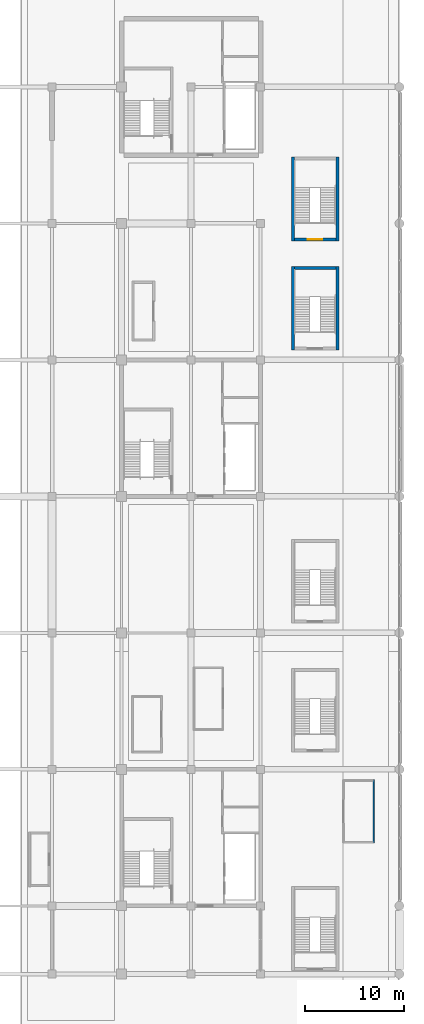
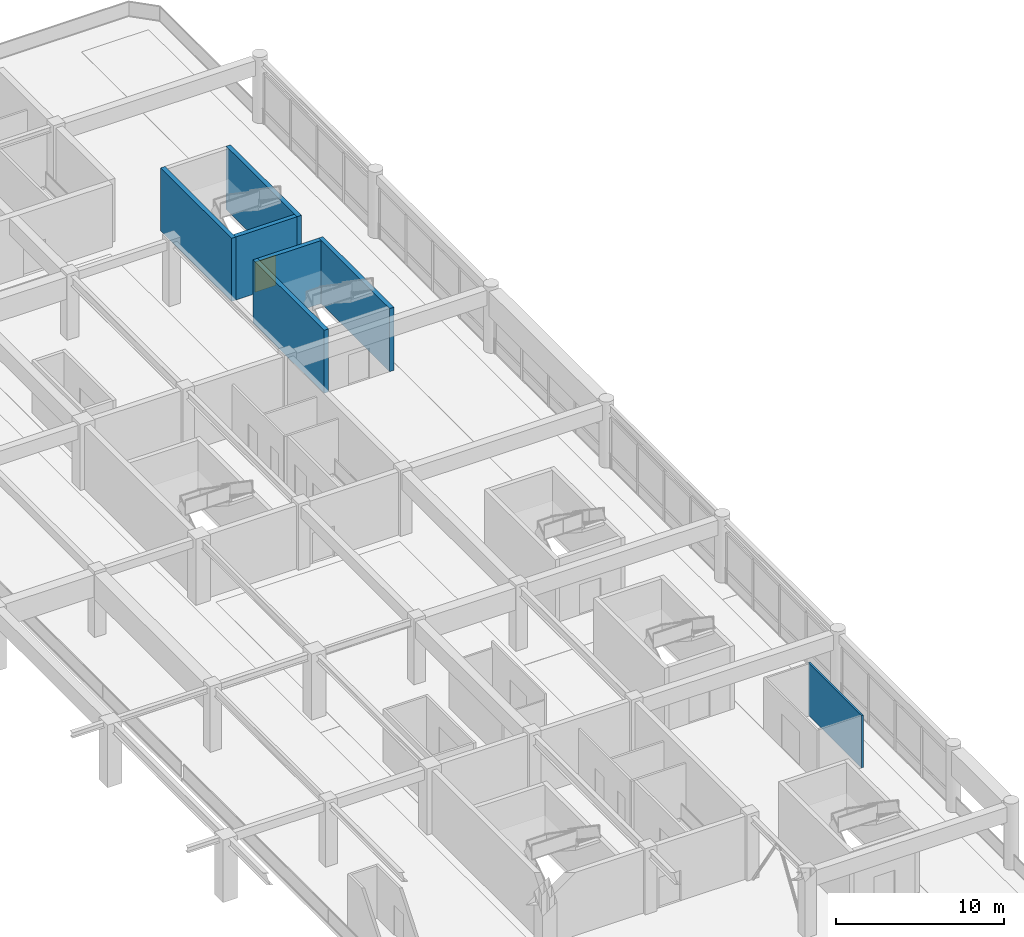
# One storey, part 70 of 91: 7 walls, 1 door, 1 opening.
"""IFC4 building model written with IfcOpenShell, lengths in metres."""

from ifc_helpers import new_model, si_unit, direction, frame, frame_2d, origin, place, context, subcontext, project, spatial, rectangle, extrude, material, layer, layer_set, type_object, element, fill, save


model = new_model("IFC4")

# Units and contexts
model_context = context("Model", 3, precision=1e-05, world=origin(), true_north=direction((0.0, 1.0)))
body_context = subcontext(model_context, "Body", "Model", "MODEL_VIEW")
ifc_project = project(units=[si_unit("LENGTHUNIT", "METRE"), si_unit("AREAUNIT", "SQUARE_METRE"), si_unit("VOLUMEUNIT", "CUBIC_METRE"), si_unit("PLANEANGLEUNIT", "RADIAN"), si_unit("MASSUNIT", "GRAM", prefix="KILO")], contexts=[model_context])

# Site, building, storey
site_placement = place(None, origin())
site = spatial("IfcSite", under=ifc_project, at=site_placement, CompositionType="ELEMENT")
building_placement = place(site_placement, origin())
building = spatial("IfcBuilding", under=site, at=building_placement, Name="Linyun Crest Stadium", CompositionType="ELEMENT")
storey_placement = place(building_placement, frame((0.0, 0.0, 11.39990234375)))
storey = spatial("IfcBuildingStorey", under=building, at=storey_placement, Name="L03", CompositionType="ELEMENT", Elevation=11.39990234375)

# Walls
ifc_material_1 = material(Name="Steel-stud hospitality suite partition", Category="steel")
ifc_layer_1 = layer(ifc_material_1, 0.125)
ifc_layer_set_1 = layer_set([ifc_layer_1], Name="Steel-stud hospitality suite partition")
wall_type_1 = type_object("IfcWallType", Name="PW17", PredefinedType="PARTITIONING", material=ifc_layer_set_1)
wall_1_placement = place(storey_placement, frame((95.4140625, -32.784912109375, 0.0), z_axis=(0.0, 0.0, 1.0), x_axis=(0.0, 1.0, 0.0)))
element("IfcWall", 1, at=wall_1_placement, inside=storey, type_object=wall_type_1, Name="Enclosure partition PW17 L03 343", PredefinedType="PARTITIONING", context=body_context, shape_type="SweptSolid", body=[
    extrude(rectangle(XDim=6.33984375, YDim=0.125, at=frame_2d((3.169921875, 0.0))), origin(), (0.0, 0.0, 1.0), 3.820068359375),
])
ifc_material_2 = material(Name="Concrete C50", Category="concrete")
ifc_layer_2 = layer(ifc_material_2, 0.300048828125)
ifc_layer_set_2 = layer_set([ifc_layer_2], Name="Concrete C50")
wall_type_2 = type_object("IfcWallType", Name="SW01", PredefinedType="SHEAR", material=ifc_layer_set_2)
wall_2_placement = place(storey_placement, frame((87.39990234375, 25.14990234375, 0.0), z_axis=(0.0, 0.0, 1.0), x_axis=(1.0, 0.0, 0.0)))
element("IfcWall", 2, at=wall_2_placement, inside=storey, type_object=wall_type_2, Name="Stair shaft wall SW01 STR-21 L03 N", PredefinedType="SHEAR", context=body_context, shape_type="SweptSolid", body=[
    extrude(rectangle(XDim=4.2001953125, YDim=0.300048828125, at=frame_2d((2.10009765625, 0.0))), origin(), (0.0, 0.0, 1.0), 4.580078125),
])
for number, where, z_axis, x_axis, name in (
    (3, (87.25, 16.85009765625, 0.0), (0.0, 0.0, 1.0), (0.0, 1.0, 0.0), "Stair shaft wall SW01 STR-21 L03 W"),
    (4, (91.75, 16.85009765625, 0.0), (0.0, 0.0, 1.0), (0.0, 1.0, 0.0), "Stair shaft wall SW01 STR-21 L03 E"),
):
    element("IfcWall", number, at=place(storey_placement, frame(where, z_axis=z_axis, x_axis=x_axis)), inside=storey, type_object=wall_type_2, Name=name, PredefinedType="SHEAR", context=body_context, shape_type="SweptSolid", body=[
        extrude(rectangle(XDim=8.449951171875, YDim=0.300048828125, at=frame_2d((4.22509765625, 0.0))), origin(), (0.0, 0.0, 1.0), 4.580078125),
    ])

# Wall, opening, door
wall_3_placement = place(storey_placement, frame((87.39990234375, 28.0, 0.0), z_axis=(0.0, 0.0, 1.0), x_axis=(1.0, 0.0, 0.0)))
wall_3 = element("IfcWall", 5, at=wall_3_placement, inside=storey, type_object=wall_type_2, Name="Stair shaft wall SW01 STR-22 L03 S", PredefinedType="SHEAR", context=body_context, shape_type="SweptSolid", body=[
    extrude(rectangle(XDim=4.2001953125, YDim=0.300048828125, at=frame_2d((2.10009765625, 0.0))), origin(), (0.0, 0.0, 1.0), 4.580078125),
])
opening_placement = place(wall_3_placement, frame((1.375, 0.0, 0.0)))
opening = element("IfcOpeningElement", 6, at=opening_placement, cuts=wall_3, Name="Opening D-L03-591", PredefinedType="OPENING", context=body_context, shape_type="SweptSolid", body=[
    extrude(rectangle(XDim=1.449951171875, YDim=2.199951171875, at=frame_2d((0.72509765625, 1.10009765625))), frame((0.0, 0.159912109375, 0.0), z_axis=(0.0, -1.0, 0.0), x_axis=(1.0, 0.0, 0.0)), (0.0, 0.0, 1.0), 0.320068359375),
])
ifc_material_3 = material(Name="Galvanized steel Class A fire door", Category="steel")
ifc_layer_3 = layer(ifc_material_3, 0.054931640625)
ifc_layer_set_3 = layer_set([ifc_layer_3], Name="Galvanized steel Class A fire door")
door_type = type_object("IfcDoorType", Name="FD02", OperationType="NOTDEFINED", PredefinedType="DOOR", material=ifc_layer_set_3)
door_placement = place(opening_placement, origin())
door = element("IfcDoor", 7, at=door_placement, inside=storey, type_object=door_type, Name="Door D-L03-591", OperationType="SINGLE_SWING_LEFT", OverallHeight=2.199951171875, OverallWidth=1.449951171875, PredefinedType="DOOR", context=body_context, shape_type="SweptSolid", body=[
    extrude(rectangle(XDim=1.449951171875, YDim=2.199951171875, at=frame_2d((0.72509765625, 1.10009765625))), frame((0.0, 0.02490234375, 0.0), z_axis=(0.0, -1.0, 0.0), x_axis=(1.0, 0.0, 0.0)), (0.0, 0.0, 1.0), 0.050048828125),
])
fill(opening, door)

# Walls
for number, where, z_axis, x_axis, name in (
    (8, (87.25, 27.85009765625, 0.0), (0.0, 0.0, 1.0), (0.0, 1.0, 0.0), "Stair shaft wall SW01 STR-22 L03 W"),
    (9, (91.75, 27.85009765625, 0.0), (0.0, 0.0, 1.0), (0.0, 1.0, 0.0), "Stair shaft wall SW01 STR-22 L03 E"),
):
    element("IfcWall", number, at=place(storey_placement, frame(where, z_axis=z_axis, x_axis=x_axis)), inside=storey, type_object=wall_type_2, Name=name, PredefinedType="SHEAR", context=body_context, shape_type="SweptSolid", body=[
        extrude(rectangle(XDim=8.449951171875, YDim=0.300048828125, at=frame_2d((4.22509765625, 0.0))), origin(), (0.0, 0.0, 1.0), 4.580078125),
    ])

save(model, "model.ifc")
